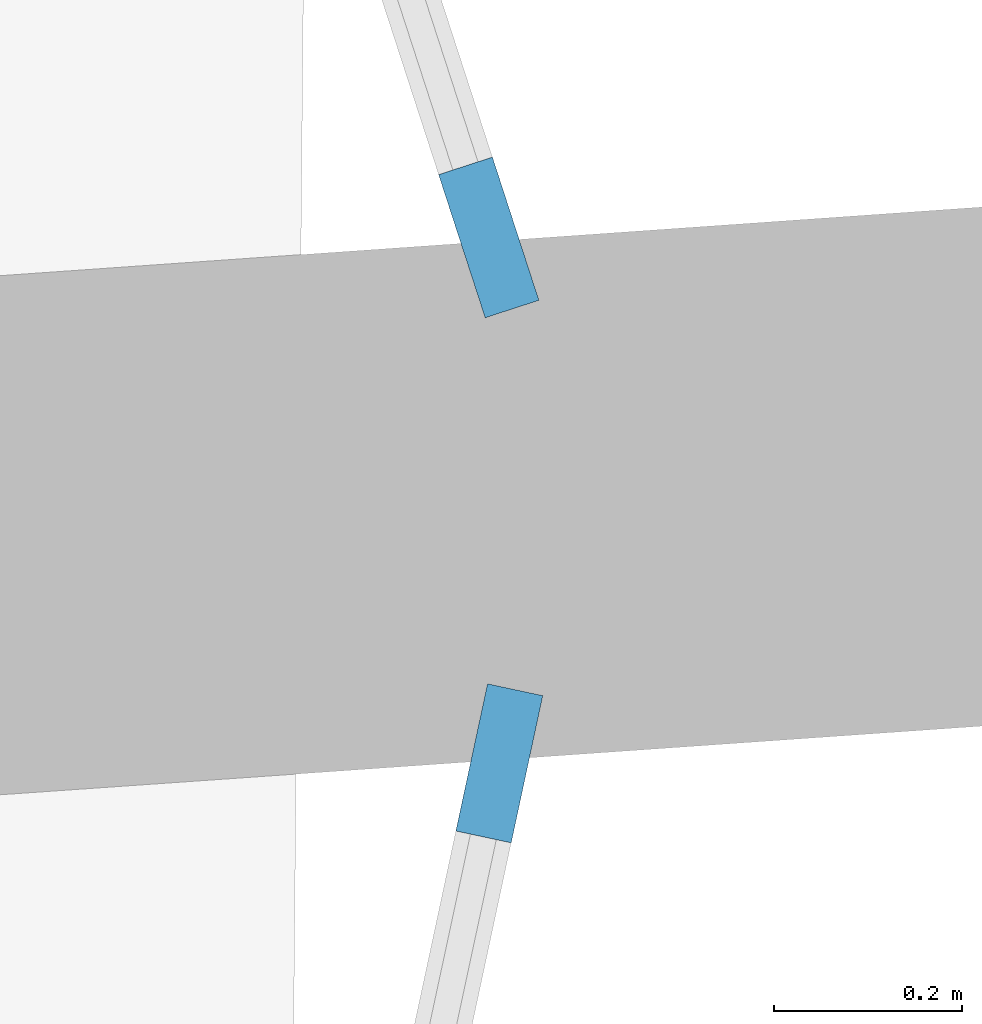
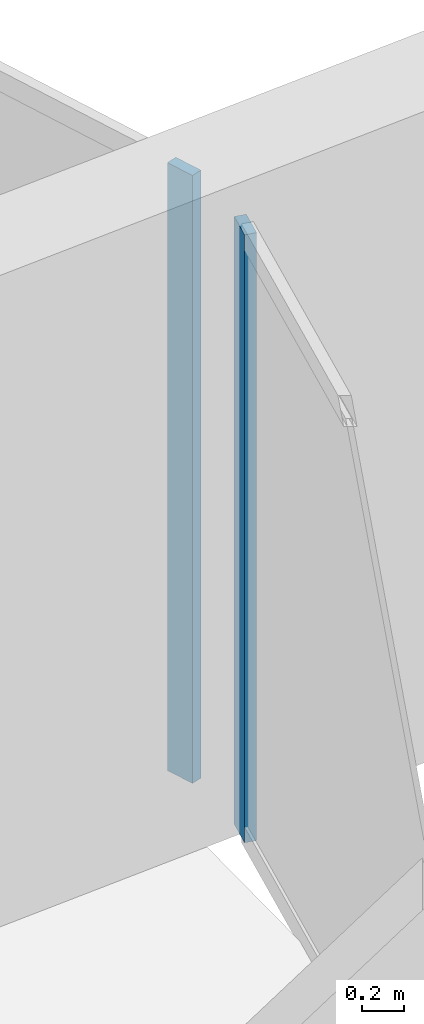
# One storey, part 17 of 31: 2 members, 2 elements without a shape of their own.
"""IFC4 building model written with IfcOpenShell, lengths in metres."""

from ifc_helpers import new_model, si_unit, direction, frame, origin, origin_2d, place, context, subcontext, project, spatial, rectangle, extrude, material, layer, layer_set, material_profile, profile_set, type_object, element, aggregate, save


model = new_model("IFC4")

# Units and contexts
model_context = context("Model", 3, precision=1e-05, world=origin(), true_north=direction((0.0, 1.0)))
body_context = subcontext(model_context, "Body", "Model", "MODEL_VIEW")
ifc_project = project(units=[si_unit("LENGTHUNIT", "METRE"), si_unit("AREAUNIT", "SQUARE_METRE"), si_unit("VOLUMEUNIT", "CUBIC_METRE"), si_unit("PLANEANGLEUNIT", "RADIAN"), si_unit("MASSUNIT", "GRAM", prefix="KILO")], contexts=[model_context])

# Site, building, storey
site_placement = place(None, origin())
site = spatial("IfcSite", under=ifc_project, at=site_placement, CompositionType="ELEMENT")
building_placement = place(site_placement, origin())
building = spatial("IfcBuilding", under=site, at=building_placement, Name="Kazma Halo Residences", CompositionType="ELEMENT")
storey_placement = place(building_placement, frame((0.0, 0.0, 52.64990234375)))
storey = spatial("IfcBuildingStorey", under=building, at=storey_placement, Name="L12", CompositionType="ELEMENT", Elevation=52.64990234375)

# Curtain wall, member
ifc_material_1 = material(Name="Aluminium AW-6063 T6 and Triple-Silver Low-E Glass", Category="aluminium")
ifc_layer = layer(ifc_material_1, 0.159912109375)
ifc_layer_set = layer_set([ifc_layer], Name="Aluminium AW-6063 T6 and Triple-Silver Low-E Glass")
curtain_wall_type = type_object("IfcCurtainWallType", Name="CW-SYS-2", PredefinedType="NOTDEFINED", material=ifc_layer_set)
curtain_wall_1_placement = place(storey_placement, origin())
curtain_wall_1 = element("IfcCurtainWall", 1, at=curtain_wall_1_placement, inside=storey, type_object=curtain_wall_type, Name="L12 unitised curtain wall B15", PredefinedType="NOTDEFINED")
ifc_material_2 = material(Name="Aluminium AW-6063 T6", Category="aluminium")
ifc_material_profile = material_profile(ifc_material_2, rectangle(XDim=0.06005859375, YDim=0.159912109375, at=origin_2d()), Name="CWM-60x160")
ifc_profile_set = profile_set([ifc_material_profile], Name="Aluminium AW-6063 T6")
member_type = type_object("IfcMemberType", Name="CW-SYS-2-MUL", PredefinedType="MULLION", material=ifc_profile_set)
member_1_placement = place(storey_placement, frame((79.74951171875, 43.940673828125, 0.0), z_axis=(0.0, 0.0, 1.0), x_axis=(-0.977779215096, 0.209637321406, 0.0)))
member_1 = element("IfcMember", 2, at=member_1_placement, type_object=member_type, Name="CWS-2 mullion 4", PredefinedType="MULLION", context=body_context, shape_type="SweptSolid", body=[
    extrude(rectangle(XDim=0.06005859375, YDim=0.159912109375, at=origin_2d()), origin(), (0.0, 0.0, 1.0), 3.5),
])
aggregate(curtain_wall_1, [member_1])

curtain_wall_2_placement = place(storey_placement, origin())
curtain_wall_2 = element("IfcCurtainWall", 3, at=curtain_wall_2_placement, inside=storey, type_object=curtain_wall_type, Name="L12 unitised curtain wall B16", PredefinedType="NOTDEFINED")
member_2_placement = place(storey_placement, frame((79.73828125, 44.499267578125, 0.0), z_axis=(0.0, 0.0, 1.0), x_axis=(-0.95105652404, -0.309016970539, 0.0)))
member_2 = element("IfcMember", 4, at=member_2_placement, type_object=member_type, Name="CWS-2 mullion 1", PredefinedType="MULLION", context=body_context, shape_type="SweptSolid", body=[
    extrude(rectangle(XDim=0.06005859375, YDim=0.159912109375, at=origin_2d()), origin(), (0.0, 0.0, 1.0), 3.5),
])
aggregate(curtain_wall_2, [member_2])

save(model, "model.ifc")
